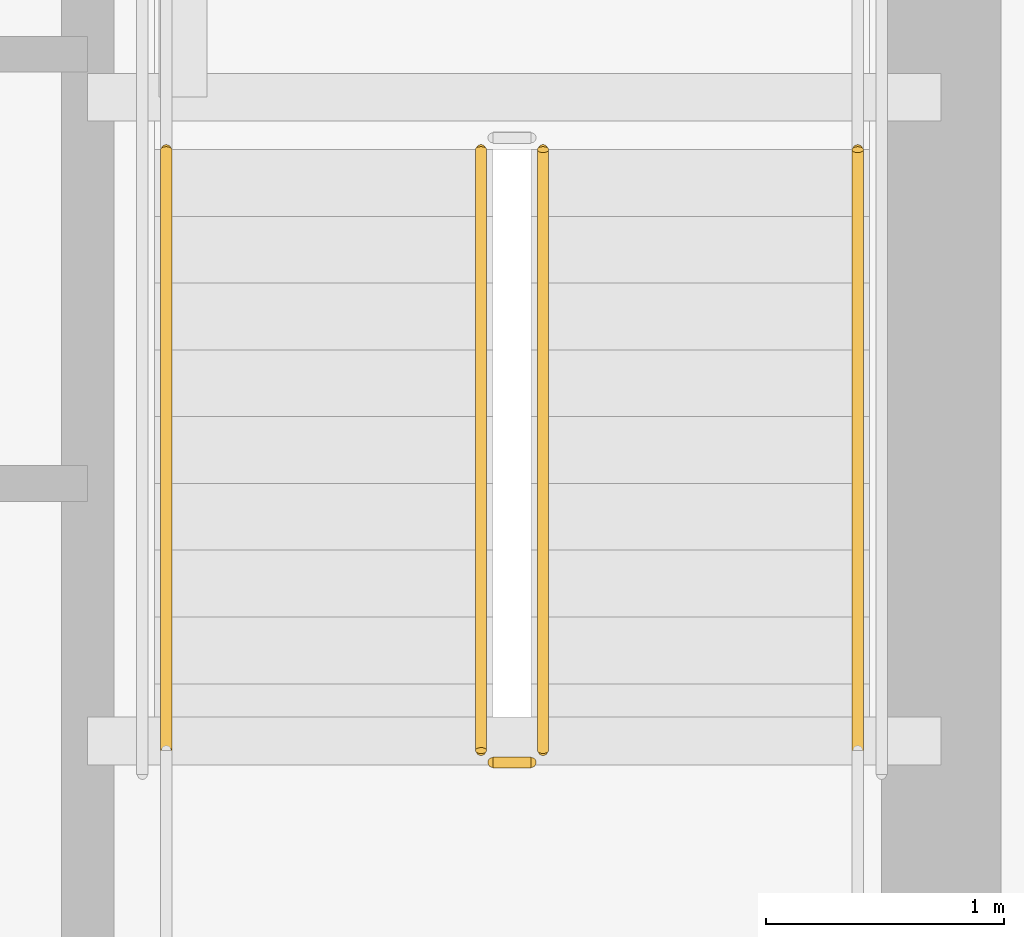
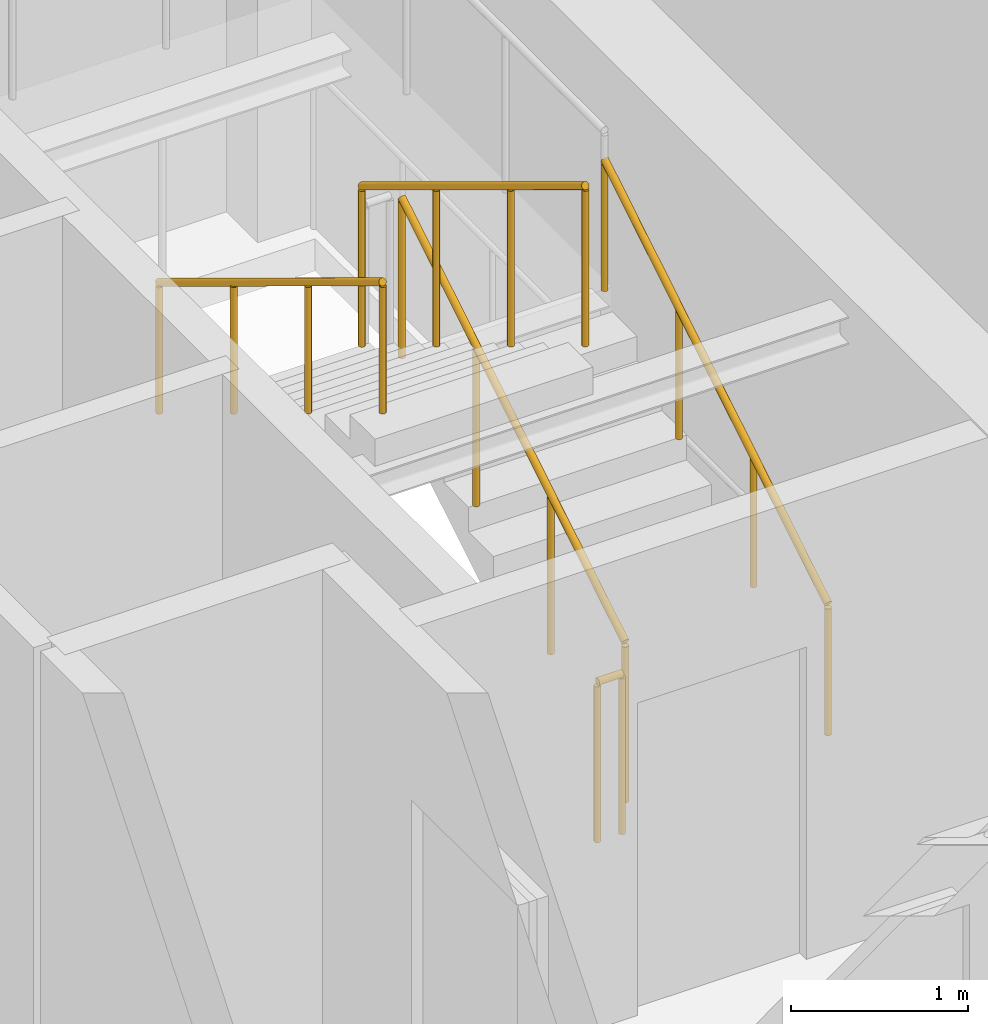
# One storey, part 30 of 33: 5 railings.
"""IFC4 building model written with IfcOpenShell, lengths in metres."""

import ifcopenshell
import ifcopenshell.guid

model = None  # the IFC model being written
_history = None  # IfcOwnerHistory: only IFC2X3 demands one
_inside = {}  # id of a spatial element -> (the spatial element, [elements in it])
_under = {}  # id of a project, library or spatial element -> (it, [spatial elements below it])
_declared = {}  # id of a project -> (the project, [libraries it declares])
_typed = {}  # id of a type object -> (the type object, [elements of that type])
_made_of = {}  # id of a material, layer set ... -> (it, [elements and type objects made of it])


def new_model(schema):
    """Start an empty IFC model of exactly this schema.

    Asked for "IFC4X3", IfcOpenShell would pick the latest addendum, in which some entities
    have other attributes; the version numbers below select the first issue.
    IFC2X3 requires an IfcOwnerHistory on every rooted entity: one is made here for all.
    """
    global model, _history
    if schema == "IFC4X3":
        model = ifcopenshell.file(schema_version=(4, 3, 0, 0))
    else:
        model = ifcopenshell.file(schema=schema)
    _inside.clear()
    _under.clear()
    _declared.clear()
    _typed.clear()
    _made_of.clear()
    _history = None
    if model.schema == "IFC2X3":
        org = make("IfcOrganization", Name="unknown")
        user = make(
            "IfcPersonAndOrganization",
            ThePerson=make("IfcPerson", FamilyName="unknown"),
            TheOrganization=org,
        )
        app = make(
            "IfcApplication",
            ApplicationDeveloper=org,
            Version="unknown",
            ApplicationFullName="unknown",
            ApplicationIdentifier="unknown",
        )
        _history = make(
            "IfcOwnerHistory",
            OwningUser=user,
            OwningApplication=app,
            ChangeAction="ADDED",
            CreationDate=0,
        )
    return model


def make(cls, **values):
    """One entity of the class cls with the attributes given. An attribute that is None is left unset."""
    return model.create_entity(
        cls, **{name: value for name, value in values.items() if value is not None}
    )


def rooted(cls, **values):
    """An entity with a GlobalId (a new one), such as an element, a storey or a relation."""
    return make(cls, GlobalId=ifcopenshell.guid.new(), OwnerHistory=_history, **values)


def si_unit(unit_type, name, prefix=None):
    """IfcSIUnit, for example si_unit("LENGTHUNIT", "METRE", prefix="MILLI")."""
    return make("IfcSIUnit", UnitType=unit_type, Prefix=prefix, Name=name)


def assignment(units):
    """IfcUnitAssignment: the units of a project."""
    return None if units is None else make("IfcUnitAssignment", Units=units)


def point(xyz):
    """IfcCartesianPoint."""
    return None if xyz is None else make("IfcCartesianPoint", Coordinates=xyz)


def direction(xyz):
    """IfcDirection."""
    return None if xyz is None else make("IfcDirection", DirectionRatios=xyz)


def frame(location, z_axis=None, x_axis=None):
    """IfcAxis2Placement3D, a coordinate frame: its origin and axes. An axis left out is left unset."""
    return make(
        "IfcAxis2Placement3D",
        Location=point(location),
        Axis=direction(z_axis),
        RefDirection=direction(x_axis),
    )


def frame_2d(location, x_axis=None):
    """IfcAxis2Placement2D, a coordinate frame in the plane: its origin and x axis."""
    return make(
        "IfcAxis2Placement2D", Location=point(location), RefDirection=direction(x_axis)
    )


def origin():
    """The frame at (0, 0, 0) with its axes left unset."""
    return frame((0.0, 0.0, 0.0))


def origin_2d():
    """The frame at (0, 0) in the plane with its x axis left unset."""
    return frame_2d((0.0, 0.0))


def place(relative_to, where):
    """IfcLocalPlacement: puts the frame where relative to a parent placement (None: the world)."""
    return make(
        "IfcLocalPlacement", PlacementRelTo=relative_to, RelativePlacement=where
    )


def context(
    kind, dimensions, precision=None, world=None, true_north=None, identifier=None
):
    """IfcGeometricRepresentationContext, for example the 3D "Model" context."""
    return make(
        "IfcGeometricRepresentationContext",
        ContextIdentifier=identifier,
        ContextType=kind,
        CoordinateSpaceDimension=dimensions,
        Precision=precision,
        WorldCoordinateSystem=world,
        TrueNorth=true_north,
    )


def subcontext(parent, identifier, kind, view, scale=None):
    """IfcGeometricRepresentationSubContext, for example "Body" below "Model"."""
    return make(
        "IfcGeometricRepresentationSubContext",
        ContextIdentifier=identifier,
        ContextType=kind,
        ParentContext=parent,
        TargetScale=scale,
        TargetView=view,
    )


def project(units=None, contexts=None):
    """IfcProject with its units and contexts."""
    return rooted(
        "IfcProject",
        Name="project",
        RepresentationContexts=contexts,
        UnitsInContext=assignment(units),
    )


def spatial(cls, under=None, at=None, **own):
    """A site, building, storey or space (cls), placed at a placement, below another one or the project."""
    s = rooted(cls, ObjectPlacement=at, **own)
    if under is not None:
        _under.setdefault(under.id(), (under, []))[1].append(s)
    return s


def profile(cls, at=None, kind="AREA", **sizes):
    """A parametric profile (cls). Its sizes go by their IFC names, for example OverallWidth=200.0."""
    return make(cls, ProfileType=kind, Position=at, **sizes)


def circle(**sizes):
    """IfcCircleProfileDef."""
    return profile("IfcCircleProfileDef", **sizes)


def extrude(swept, where, along, depth):
    """IfcExtrudedAreaSolid: the profile swept, set in the frame where, extruded along a direction by depth."""
    return make(
        "IfcExtrudedAreaSolid",
        SweptArea=swept,
        Position=where,
        ExtrudedDirection=direction(along),
        Depth=depth,
    )


def shape(context_of_items, identifier, shape_type, items):
    """IfcShapeRepresentation: the items that make up one representation, for example the "Body"."""
    return make(
        "IfcShapeRepresentation",
        ContextOfItems=context_of_items,
        RepresentationIdentifier=identifier,
        RepresentationType=shape_type,
        Items=items,
    )


def material(Name=None, Category=None):
    """IfcMaterial."""
    return make("IfcMaterial", Name=Name, Category=Category)


def layer(
    of_material, thickness, ventilated=None, Name=None, Category=None, Priority=None
):
    """IfcMaterialLayer: one layer of a wall or slab, of a material (None: an air gap)."""
    return make(
        "IfcMaterialLayer",
        Material=of_material,
        LayerThickness=thickness,
        IsVentilated=ventilated,
        Name=Name,
        Category=Category,
        Priority=Priority,
    )


def layer_set(layers, Name=None):
    """IfcMaterialLayerSet."""
    return make("IfcMaterialLayerSet", MaterialLayers=layers, LayerSetName=Name)


def made_of(thing, what):
    """Note that an element or type object is made of a material, layer set ...; save() writes the relation."""
    if what is not None:
        _made_of.setdefault(what.id(), (what, []))[1].append(thing)
    return thing


def type_object(cls, material=None, **own):
    """A type object (cls), such as IfcWallType, which elements share."""
    return made_of(rooted(cls, **own), material)


def element(
    cls,
    number,
    at=None,
    inside=None,
    cuts=None,
    type_object=None,
    material=None,
    context=None,
    identifier="Body",
    shape_type=None,
    held_by="IfcProductDefinitionShape",
    body=None,
    shapes=None,
    **own,
):
    """One element of the class cls, such as IfcWall. Its Tag is "e" and its number.

    at: its placement. inside: the storey or other place that contains it. cuts: it is an
    opening in that element (IfcRelVoidsElement). A single representation is given by context,
    identifier, shape_type and body (its items); several are given by shapes. held_by: the class
    of the entity that holds the representations. save() writes the other relations.
    """
    e = rooted(cls, Tag="e%d" % number, ObjectPlacement=at, **own)
    if body is not None:
        shapes = [shape(context, identifier, shape_type, body)]
    if shapes is not None:
        e.Representation = make(held_by, Representations=shapes)
    if inside is not None:
        _inside.setdefault(inside.id(), (inside, []))[1].append(e)
    if cuts is not None:
        rooted(
            "IfcRelVoidsElement", RelatingBuildingElement=cuts, RelatedOpeningElement=e
        )
    if type_object is not None:
        _typed.setdefault(type_object.id(), (type_object, []))[1].append(e)
    return made_of(e, material)


def aggregate(whole, parts):
    """IfcRelAggregates: a whole, such as a stair, and the parts it consists of."""
    return rooted("IfcRelAggregates", RelatingObject=whole, RelatedObjects=parts)


def save(model, path):
    """Write the relations noted so far, then the file.

    IfcRelAggregates (storeys below a building ...), IfcRelContainedInSpatialStructure (elements
    in a storey), IfcRelDefinesByType, IfcRelAssociatesMaterial and IfcRelDeclares: one each for
    every whole, place, type object, material and project.
    """
    for whole, parts in _under.values():
        aggregate(whole, parts)
    for where, things in _inside.values():
        rooted(
            "IfcRelContainedInSpatialStructure",
            RelatedElements=things,
            RelatingStructure=where,
        )
    for kind, things in _typed.values():
        rooted("IfcRelDefinesByType", RelatedObjects=things, RelatingType=kind)
    for what, things in _made_of.values():
        rooted("IfcRelAssociatesMaterial", RelatedObjects=things, RelatingMaterial=what)
    for by, libraries in _declared.values():
        rooted("IfcRelDeclares", RelatingContext=by, RelatedDefinitions=libraries)
    model.write(path)


model = new_model("IFC4")

# Units and contexts
model_context = context("Model", 3, precision=1e-05, world=origin(), true_north=direction((0.0, 1.0)))
body_context = subcontext(model_context, "Body", "Model", "MODEL_VIEW")
ifc_project = project(units=[si_unit("LENGTHUNIT", "METRE"), si_unit("AREAUNIT", "SQUARE_METRE"), si_unit("VOLUMEUNIT", "CUBIC_METRE"), si_unit("PLANEANGLEUNIT", "RADIAN"), si_unit("MASSUNIT", "GRAM", prefix="KILO")], contexts=[model_context])

# Site, building, storey
site_placement = place(None, origin())
site = spatial("IfcSite", under=ifc_project, at=site_placement, CompositionType="ELEMENT")
building_placement = place(site_placement, origin())
building = spatial("IfcBuilding", under=site, at=building_placement, Name="Yelkora Congress Tower", CompositionType="ELEMENT")
storey_placement = place(building_placement, frame((0.0, 0.0, 71.199951171875)))
storey = spatial("IfcBuildingStorey", under=building, at=storey_placement, Name="L18", CompositionType="ELEMENT", Elevation=71.199951171875)

# Railings
ifc_material_1 = material(Name="Painted galvanised steel stair well guard with vertical infill", Category="steel")
ifc_layer_1 = layer(ifc_material_1, 0.06005859375)
ifc_layer_set_1 = layer_set([ifc_layer_1], Name="Painted galvanised steel stair well guard with vertical infill")
railing_type_1 = type_object("IfcRailingType", Name="RAIL-STAIR-GUARD-1120", PredefinedType="GUARDRAIL", material=ifc_layer_set_1)
railing_1_placement = place(storey_placement, frame((52.090087890625, 39.60009765625, 0.170166015625)))
element("IfcRailing", 1, at=railing_1_placement, inside=storey, type_object=railing_type_1, Name="ST-02 L18 Stair Well Guardrail 1", PredefinedType="GUARDRAIL", context=body_context, shape_type="SweptSolid", body=[
    extrude(circle(Radius=0.02392578125, at=origin_2d()), frame((0.0, 0.0, 1.09619140625), z_axis=(0.0, 0.854821627497, 0.518921945155), x_axis=(-1.0, 0.0, 0.0)), (0.0, 0.0, 1.0), 2.947998046875),
    extrude(circle(Radius=0.02099609375, at=origin_2d()), origin(), (0.0, 0.0, 1.0), 1.072021484375),
    extrude(circle(Radius=0.02099609375, at=origin_2d()), frame((0.0, 0.840087890625, 0.510009765625)), (0.0, 0.0, 1.0), 1.072021484375),
    extrude(circle(Radius=0.02099609375, at=origin_2d()), frame((0.0, 1.679931640625, 1.019775390625)), (0.0, 0.0, 1.0), 1.072021484375),
    extrude(circle(Radius=0.02099609375, at=origin_2d()), frame((0.0, 2.52001953125, 1.52978515625)), (0.0, 0.0, 1.0), 1.072021484375),
])
railing_2_placement = place(storey_placement, frame((51.830078125, 42.1201171875, 1.8701171875)))
element("IfcRailing", 2, at=railing_2_placement, inside=storey, type_object=railing_type_1, Name="ST-02 L18 Stair Well Guardrail 6", PredefinedType="GUARDRAIL", context=body_context, shape_type="SweptSolid", body=[
    extrude(circle(Radius=0.02392578125, at=origin_2d()), frame((0.0, 0.0, 1.09619140625), z_axis=(0.0, -0.85478489116, 0.518982456201), x_axis=(1.0, 0.0, 0.0)), (0.0, 0.0, 1.0), 2.9482421875),
    extrude(circle(Radius=0.02099609375, at=origin_2d()), origin(), (0.0, 0.0, 1.0), 1.072021484375),
    extrude(circle(Radius=0.02099609375, at=origin_2d()), frame((0.0, -0.840087890625, 0.510009765625)), (0.0, 0.0, 1.0), 1.072021484375),
    extrude(circle(Radius=0.02099609375, at=origin_2d()), frame((0.0, -1.679931640625, 1.02001953125)), (0.0, 0.0, 1.0), 1.072021484375),
    extrude(circle(Radius=0.02099609375, at=origin_2d()), frame((0.0, -2.52001953125, 1.530029296875)), (0.0, 0.0, 1.0), 1.072021484375),
])
railing_3_placement = place(storey_placement, frame((52.0400390625, 39.550048828125, 0.0)))
element("IfcRailing", 3, at=railing_3_placement, inside=storey, type_object=railing_type_1, Name="ST-02 L18 Stair Well Guardrail 7", PredefinedType="GUARDRAIL", context=body_context, shape_type="SweptSolid", body=[
    extrude(circle(Radius=0.02392578125, at=origin_2d()), frame((0.0, 0.0, 1.09619140625), z_axis=(-1.0, 0.0, 0.0), x_axis=(0.0, -1.0, 0.0)), (0.0, 0.0, 1.0), 0.16015625),
    extrude(circle(Radius=0.02099609375, at=origin_2d()), origin(), (0.0, 0.0, 1.0), 1.072021484375),
    extrude(circle(Radius=0.02099609375, at=origin_2d()), frame((-0.16015625, 0.0, 0.0)), (0.0, 0.0, 1.0), 1.072021484375),
])
ifc_material_2 = material(Name="Brushed stainless steel tubular handrail", Category="steel")
ifc_layer_2 = layer(ifc_material_2, 0.050048828125)
ifc_layer_set_2 = layer_set([ifc_layer_2], Name="Brushed stainless steel tubular handrail")
railing_type_2 = type_object("IfcRailingType", Name="RAIL-STAIR-HAND-920", PredefinedType="HANDRAIL", material=ifc_layer_set_2)
railing_4_placement = place(storey_placement, frame((53.409912109375, 39.60009765625, 0.170166015625)))
element("IfcRailing", 4, at=railing_4_placement, inside=storey, type_object=railing_type_2, Name="ST-02 L18 Pitch Handrail 1", PredefinedType="HANDRAIL", context=body_context, shape_type="SweptSolid", body=[
    extrude(circle(Radius=0.02392578125, at=origin_2d()), frame((0.0, 0.0, 0.89599609375), z_axis=(0.0, 0.854821627497, 0.518921945155), x_axis=(-1.0, 0.0, 0.0)), (0.0, 0.0, 1.0), 2.947998046875),
    extrude(circle(Radius=0.02099609375, at=origin_2d()), origin(), (0.0, 0.0, 1.0), 0.871826171875),
    extrude(circle(Radius=0.02099609375, at=origin_2d()), frame((0.0, 0.840087890625, 0.510009765625)), (0.0, 0.0, 1.0), 0.871826171875),
    extrude(circle(Radius=0.02099609375, at=origin_2d()), frame((0.0, 1.679931640625, 1.019775390625)), (0.0, 0.0, 1.0), 0.871826171875),
    extrude(circle(Radius=0.02099609375, at=origin_2d()), frame((0.0, 2.52001953125, 1.52978515625)), (0.0, 0.0, 1.0), 0.871826171875),
])
railing_5_placement = place(storey_placement, frame((50.510009765625, 42.1201171875, 1.8701171875)))
element("IfcRailing", 5, at=railing_5_placement, inside=storey, type_object=railing_type_2, Name="ST-02 L18 Pitch Handrail 2", PredefinedType="HANDRAIL", context=body_context, shape_type="SweptSolid", body=[
    extrude(circle(Radius=0.02392578125, at=origin_2d()), frame((0.0, 0.0, 0.89599609375), z_axis=(0.0, -0.85478489116, 0.518982456201), x_axis=(1.0, 0.0, 0.0)), (0.0, 0.0, 1.0), 2.9482421875),
    extrude(circle(Radius=0.02099609375, at=origin_2d()), origin(), (0.0, 0.0, 1.0), 0.871826171875),
    extrude(circle(Radius=0.02099609375, at=origin_2d()), frame((0.0, -0.840087890625, 0.510009765625)), (0.0, 0.0, 1.0), 0.871826171875),
    extrude(circle(Radius=0.02099609375, at=origin_2d()), frame((0.0, -1.679931640625, 1.02001953125)), (0.0, 0.0, 1.0), 0.871826171875),
    extrude(circle(Radius=0.02099609375, at=origin_2d()), frame((0.0, -2.52001953125, 1.530029296875)), (0.0, 0.0, 1.0), 0.871826171875),
])

save(model, "model.ifc")
